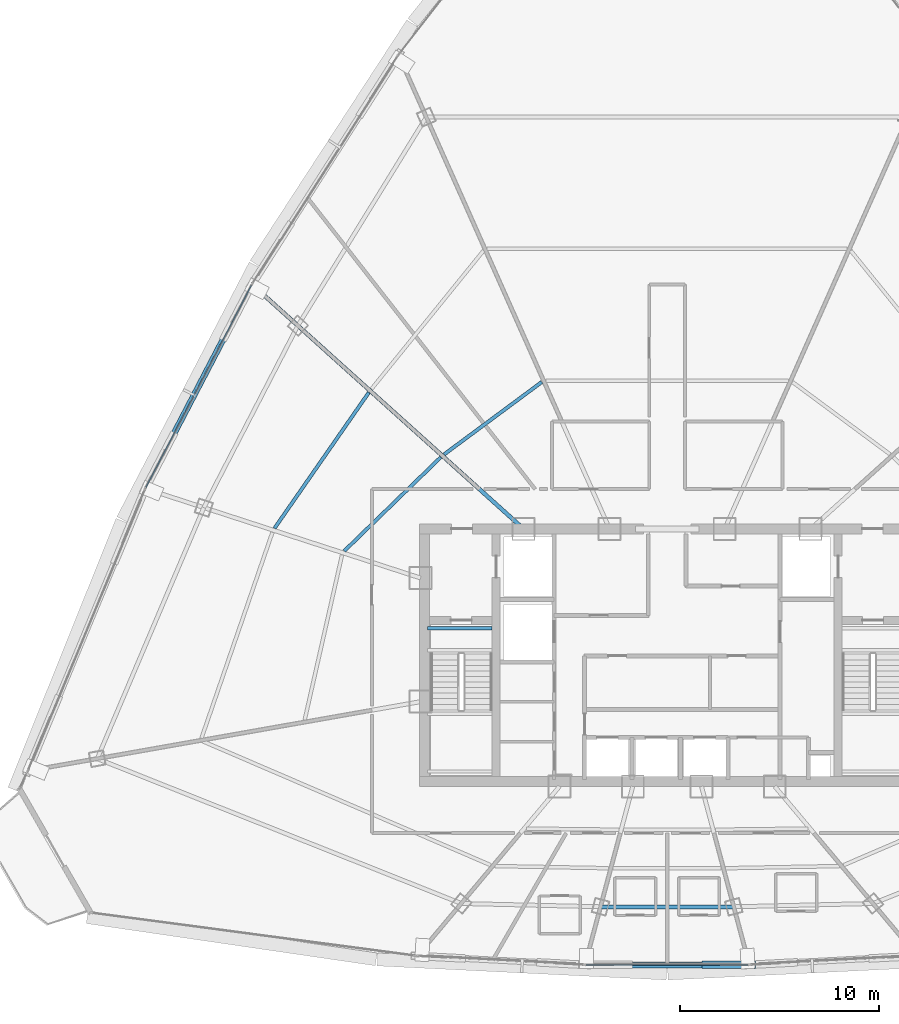
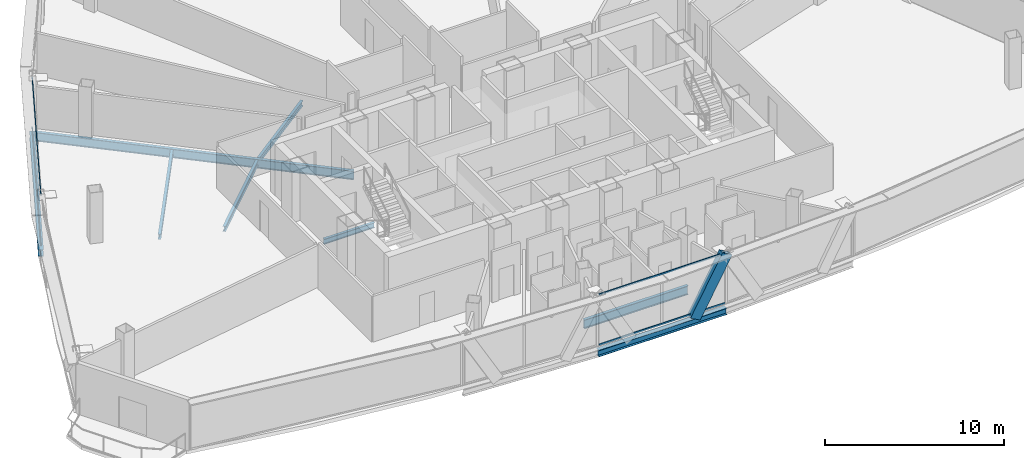
# One storey, part 10 of 39: 8 beams, 5 members, 2 elements without a shape of their own.
"""IFC4 building model written with IfcOpenShell, lengths in metres."""

import ifcopenshell
import ifcopenshell.guid

model = None  # the IFC model being written
_history = None  # IfcOwnerHistory: only IFC2X3 demands one
_inside = {}  # id of a spatial element -> (the spatial element, [elements in it])
_under = {}  # id of a project, library or spatial element -> (it, [spatial elements below it])
_declared = {}  # id of a project -> (the project, [libraries it declares])
_typed = {}  # id of a type object -> (the type object, [elements of that type])
_made_of = {}  # id of a material, layer set ... -> (it, [elements and type objects made of it])


def new_model(schema):
    """Start an empty IFC model of exactly this schema.

    Asked for "IFC4X3", IfcOpenShell would pick the latest addendum, in which some entities
    have other attributes; the version numbers below select the first issue.
    IFC2X3 requires an IfcOwnerHistory on every rooted entity: one is made here for all.
    """
    global model, _history
    if schema == "IFC4X3":
        model = ifcopenshell.file(schema_version=(4, 3, 0, 0))
    else:
        model = ifcopenshell.file(schema=schema)
    _inside.clear()
    _under.clear()
    _declared.clear()
    _typed.clear()
    _made_of.clear()
    _history = None
    if model.schema == "IFC2X3":
        org = make("IfcOrganization", Name="unknown")
        user = make(
            "IfcPersonAndOrganization",
            ThePerson=make("IfcPerson", FamilyName="unknown"),
            TheOrganization=org,
        )
        app = make(
            "IfcApplication",
            ApplicationDeveloper=org,
            Version="unknown",
            ApplicationFullName="unknown",
            ApplicationIdentifier="unknown",
        )
        _history = make(
            "IfcOwnerHistory",
            OwningUser=user,
            OwningApplication=app,
            ChangeAction="ADDED",
            CreationDate=0,
        )
    return model


def make(cls, **values):
    """One entity of the class cls with the attributes given. An attribute that is None is left unset."""
    return model.create_entity(
        cls, **{name: value for name, value in values.items() if value is not None}
    )


def rooted(cls, **values):
    """An entity with a GlobalId (a new one), such as an element, a storey or a relation."""
    return make(cls, GlobalId=ifcopenshell.guid.new(), OwnerHistory=_history, **values)


def si_unit(unit_type, name, prefix=None):
    """IfcSIUnit, for example si_unit("LENGTHUNIT", "METRE", prefix="MILLI")."""
    return make("IfcSIUnit", UnitType=unit_type, Prefix=prefix, Name=name)


def assignment(units):
    """IfcUnitAssignment: the units of a project."""
    return None if units is None else make("IfcUnitAssignment", Units=units)


def point(xyz):
    """IfcCartesianPoint."""
    return None if xyz is None else make("IfcCartesianPoint", Coordinates=xyz)


def direction(xyz):
    """IfcDirection."""
    return None if xyz is None else make("IfcDirection", DirectionRatios=xyz)


def frame(location, z_axis=None, x_axis=None):
    """IfcAxis2Placement3D, a coordinate frame: its origin and axes. An axis left out is left unset."""
    return make(
        "IfcAxis2Placement3D",
        Location=point(location),
        Axis=direction(z_axis),
        RefDirection=direction(x_axis),
    )


def frame_2d(location, x_axis=None):
    """IfcAxis2Placement2D, a coordinate frame in the plane: its origin and x axis."""
    return make(
        "IfcAxis2Placement2D", Location=point(location), RefDirection=direction(x_axis)
    )


def origin():
    """The frame at (0, 0, 0) with its axes left unset."""
    return frame((0.0, 0.0, 0.0))


def origin_2d():
    """The frame at (0, 0) in the plane with its x axis left unset."""
    return frame_2d((0.0, 0.0))


def place(relative_to, where):
    """IfcLocalPlacement: puts the frame where relative to a parent placement (None: the world)."""
    return make(
        "IfcLocalPlacement", PlacementRelTo=relative_to, RelativePlacement=where
    )


def context(
    kind, dimensions, precision=None, world=None, true_north=None, identifier=None
):
    """IfcGeometricRepresentationContext, for example the 3D "Model" context."""
    return make(
        "IfcGeometricRepresentationContext",
        ContextIdentifier=identifier,
        ContextType=kind,
        CoordinateSpaceDimension=dimensions,
        Precision=precision,
        WorldCoordinateSystem=world,
        TrueNorth=true_north,
    )


def subcontext(parent, identifier, kind, view, scale=None):
    """IfcGeometricRepresentationSubContext, for example "Body" below "Model"."""
    return make(
        "IfcGeometricRepresentationSubContext",
        ContextIdentifier=identifier,
        ContextType=kind,
        ParentContext=parent,
        TargetScale=scale,
        TargetView=view,
    )


def project(units=None, contexts=None):
    """IfcProject with its units and contexts."""
    return rooted(
        "IfcProject",
        Name="project",
        RepresentationContexts=contexts,
        UnitsInContext=assignment(units),
    )


def spatial(cls, under=None, at=None, **own):
    """A site, building, storey or space (cls), placed at a placement, below another one or the project."""
    s = rooted(cls, ObjectPlacement=at, **own)
    if under is not None:
        _under.setdefault(under.id(), (under, []))[1].append(s)
    return s


def profile(cls, at=None, kind="AREA", **sizes):
    """A parametric profile (cls). Its sizes go by their IFC names, for example OverallWidth=200.0."""
    return make(cls, ProfileType=kind, Position=at, **sizes)


def hollow_rectangle(**sizes):
    """IfcRectangleHollowProfileDef."""
    return profile("IfcRectangleHollowProfileDef", **sizes)


def i_section(**sizes):
    """IfcIShapeProfileDef."""
    return profile("IfcIShapeProfileDef", **sizes)


def extrude(swept, where, along, depth):
    """IfcExtrudedAreaSolid: the profile swept, set in the frame where, extruded along a direction by depth."""
    return make(
        "IfcExtrudedAreaSolid",
        SweptArea=swept,
        Position=where,
        ExtrudedDirection=direction(along),
        Depth=depth,
    )


def shape(context_of_items, identifier, shape_type, items):
    """IfcShapeRepresentation: the items that make up one representation, for example the "Body"."""
    return make(
        "IfcShapeRepresentation",
        ContextOfItems=context_of_items,
        RepresentationIdentifier=identifier,
        RepresentationType=shape_type,
        Items=items,
    )


def source(mapping_origin, context_of_items, identifier, shape_type, items):
    """IfcRepresentationMap: a shape defined once, which mapped items show again and again."""
    return make(
        "IfcRepresentationMap",
        MappingOrigin=mapping_origin,
        MappedRepresentation=shape(context_of_items, identifier, shape_type, items),
    )


def transform(
    local_origin,
    x_axis=None,
    y_axis=None,
    z_axis=None,
    scale=None,
    scale2=None,
    scale3=None,
    uniform=True,
):
    """IfcCartesianTransformationOperator3D, or its non-uniform kind. x_axis, y_axis, z_axis: its Axis1, 2, 3."""
    if uniform:
        return make(
            "IfcCartesianTransformationOperator3D",
            Axis1=direction(x_axis),
            Axis2=direction(y_axis),
            LocalOrigin=point(local_origin),
            Scale=scale,
            Axis3=direction(z_axis),
        )
    return make(
        "IfcCartesianTransformationOperator3DnonUniform",
        Axis1=direction(x_axis),
        Axis2=direction(y_axis),
        LocalOrigin=point(local_origin),
        Scale=scale,
        Axis3=direction(z_axis),
        Scale2=scale2,
        Scale3=scale3,
    )


def mapped(mapping_source, mapping_target):
    """IfcMappedItem: shows the shape of a source again, moved by a transform."""
    return make(
        "IfcMappedItem", MappingSource=mapping_source, MappingTarget=mapping_target
    )


def material(Name=None, Category=None):
    """IfcMaterial."""
    return make("IfcMaterial", Name=Name, Category=Category)


def layer(
    of_material, thickness, ventilated=None, Name=None, Category=None, Priority=None
):
    """IfcMaterialLayer: one layer of a wall or slab, of a material (None: an air gap)."""
    return make(
        "IfcMaterialLayer",
        Material=of_material,
        LayerThickness=thickness,
        IsVentilated=ventilated,
        Name=Name,
        Category=Category,
        Priority=Priority,
    )


def layer_set(layers, Name=None):
    """IfcMaterialLayerSet."""
    return make("IfcMaterialLayerSet", MaterialLayers=layers, LayerSetName=Name)


def material_profile(
    of_material, cross_section, Name=None, Category=None, Priority=None
):
    """IfcMaterialProfile: a cross section and its material."""
    return make(
        "IfcMaterialProfile",
        Name=Name,
        Material=of_material,
        Profile=cross_section,
        Priority=Priority,
        Category=Category,
    )


def profile_set(profiles, Name=None, composite=None):
    """IfcMaterialProfileSet."""
    return make(
        "IfcMaterialProfileSet",
        Name=Name,
        MaterialProfiles=profiles,
        CompositeProfile=composite,
    )


def made_of(thing, what):
    """Note that an element or type object is made of a material, layer set ...; save() writes the relation."""
    if what is not None:
        _made_of.setdefault(what.id(), (what, []))[1].append(thing)
    return thing


def type_object(cls, material=None, **own):
    """A type object (cls), such as IfcWallType, which elements share."""
    return made_of(rooted(cls, **own), material)


def element(
    cls,
    number,
    at=None,
    inside=None,
    cuts=None,
    type_object=None,
    material=None,
    context=None,
    identifier="Body",
    shape_type=None,
    held_by="IfcProductDefinitionShape",
    body=None,
    shapes=None,
    **own,
):
    """One element of the class cls, such as IfcWall. Its Tag is "e" and its number.

    at: its placement. inside: the storey or other place that contains it. cuts: it is an
    opening in that element (IfcRelVoidsElement). A single representation is given by context,
    identifier, shape_type and body (its items); several are given by shapes. held_by: the class
    of the entity that holds the representations. save() writes the other relations.
    """
    e = rooted(cls, Tag="e%d" % number, ObjectPlacement=at, **own)
    if body is not None:
        shapes = [shape(context, identifier, shape_type, body)]
    if shapes is not None:
        e.Representation = make(held_by, Representations=shapes)
    if inside is not None:
        _inside.setdefault(inside.id(), (inside, []))[1].append(e)
    if cuts is not None:
        rooted(
            "IfcRelVoidsElement", RelatingBuildingElement=cuts, RelatedOpeningElement=e
        )
    if type_object is not None:
        _typed.setdefault(type_object.id(), (type_object, []))[1].append(e)
    return made_of(e, material)


def aggregate(whole, parts):
    """IfcRelAggregates: a whole, such as a stair, and the parts it consists of."""
    return rooted("IfcRelAggregates", RelatingObject=whole, RelatedObjects=parts)


def save(model, path):
    """Write the relations noted so far, then the file.

    IfcRelAggregates (storeys below a building ...), IfcRelContainedInSpatialStructure (elements
    in a storey), IfcRelDefinesByType, IfcRelAssociatesMaterial and IfcRelDeclares: one each for
    every whole, place, type object, material and project.
    """
    for whole, parts in _under.values():
        aggregate(whole, parts)
    for where, things in _inside.values():
        rooted(
            "IfcRelContainedInSpatialStructure",
            RelatedElements=things,
            RelatingStructure=where,
        )
    for kind, things in _typed.values():
        rooted("IfcRelDefinesByType", RelatedObjects=things, RelatingType=kind)
    for what, things in _made_of.values():
        rooted("IfcRelAssociatesMaterial", RelatedObjects=things, RelatingMaterial=what)
    for by, libraries in _declared.values():
        rooted("IfcRelDeclares", RelatingContext=by, RelatedDefinitions=libraries)
    model.write(path)


model = new_model("IFC4")

# Units and contexts
model_context = context("Model", 3, precision=1e-05, world=origin(), true_north=direction((0.0, 1.0)))
body_context = subcontext(model_context, "Body", "Model", "MODEL_VIEW")
ifc_project = project(units=[si_unit("LENGTHUNIT", "METRE"), si_unit("AREAUNIT", "SQUARE_METRE"), si_unit("VOLUMEUNIT", "CUBIC_METRE"), si_unit("PLANEANGLEUNIT", "RADIAN"), si_unit("MASSUNIT", "GRAM", prefix="KILO"), si_unit("THERMODYNAMICTEMPERATUREUNIT", "KELVIN"), si_unit("POWERUNIT", "WATT")], contexts=[model_context])

# Site, building, storey
site_placement = place(None, origin())
site = spatial("IfcSite", under=ifc_project, at=site_placement, CompositionType="ELEMENT")
building_placement = place(site_placement, origin())
building = spatial("IfcBuilding", under=site, at=building_placement, Name="Yunzhuo Pagoda Commons", CompositionType="ELEMENT")
storey_placement = place(building_placement, frame((0.0, 0.0, 285.02001953125)))
storey = spatial("IfcBuildingStorey", under=building, at=storey_placement, Name="L71", CompositionType="ELEMENT", Elevation=285.02001953125)

# Beams
ifc_material_1 = material(Name="Structural steel Q355B", Category="steel")
ifc_material_profile_1 = material_profile(ifc_material_1, i_section(OverallWidth=0.175048828125, OverallDepth=0.35009765625, WebThickness=0.007080078125, FlangeThickness=0.010986328125, at=origin_2d()), Name="Structural steel Q355B")
ifc_profile_set_1 = profile_set([ifc_material_profile_1], Name="Structural steel Q355B")
beam_type_1 = type_object("IfcBeamType", Name="B-JS2 Joist HN 350x175x7x11", PredefinedType="JOIST", material=ifc_profile_set_1)
shared_shape_1 = source(origin(), body_context, "Body", "SweptSolid", [
    extrude(i_section(OverallWidth=0.175048828125, OverallDepth=0.35009765625, WebThickness=0.007080078125, FlangeThickness=0.010986328125, at=origin_2d()), origin(), (0.0, 0.0, 1.0), 3.25),
])
beam_1_placement = place(storey_placement, frame((35.949951171875, 35.199951171875, -0.374755859375), z_axis=(1.0, 0.0, 0.0), x_axis=(0.0, 1.0, 0.0)))
element("IfcBeam", 1, at=beam_1_placement, inside=storey, type_object=beam_type_1, Name="L71 ST1 landing support beam 175B", PredefinedType="JOIST", context=body_context, shape_type="MappedRepresentation", body=[
    mapped(shared_shape_1, transform((0.0, 0.0, 0.0), scale=1.0)),
])
ifc_material_profile_2 = material_profile(ifc_material_1, i_section(OverallWidth=0.300048828125, OverallDepth=0.43994140625, WebThickness=0.010986328125, FlangeThickness=0.01806640625, at=origin_2d()), Name="Structural steel Q355B")
ifc_profile_set_2 = profile_set([ifc_material_profile_2], Name="Structural steel Q355B")
beam_type_2 = type_object("IfcBeamType", Name="B-SP2 Beam HM 440x300x11x18", PredefinedType="BEAM", material=ifc_profile_set_2)
shared_shape_2 = source(origin(), body_context, "Body", "SweptSolid", [
    extrude(i_section(OverallWidth=0.300048828125, OverallDepth=0.43994140625, WebThickness=0.010986328125, FlangeThickness=0.01806640625, at=origin_2d()), origin(), (0.0, 0.0, 1.0), 8.26611328125),
])
beam_2_placement = place(storey_placement, frame((43.866943359375, 18.275390625, -0.47998046875), z_axis=(1.0, 0.0, 0.0), x_axis=(0.0, 1.0, 0.0)))
element("IfcBeam", 2, at=beam_2_placement, inside=storey, type_object=beam_type_2, Name="L71 facade edge spandrel beam F1.2", PredefinedType="BEAM", context=body_context, shape_type="MappedRepresentation", body=[
    mapped(shared_shape_2, transform((0.0, 0.0, 0.0), scale=1.0)),
])
shared_shape_3 = source(origin(), body_context, "Body", "SweptSolid", [
    extrude(i_section(OverallWidth=0.300048828125, OverallDepth=0.43994140625, WebThickness=0.010986328125, FlangeThickness=0.01806640625, at=origin_2d()), origin(), (0.0, 0.0, 1.0), 11.591064453125),
])
beam_3_placement = place(storey_placement, frame((27.117431640625, 52.5029296875, -0.47998046875), z_axis=(-0.462915805382, -0.886402254695, 0.0), x_axis=(0.886402254695, -0.462915805382, 0.0)))
element("IfcBeam", 3, at=beam_3_placement, inside=storey, type_object=beam_type_2, Name="L71 facade edge spandrel beam F3.2", PredefinedType="BEAM", context=body_context, shape_type="MappedRepresentation", body=[
    mapped(shared_shape_3, transform((0.0, 0.0, 0.0), scale=1.0)),
])
ifc_material_profile_3 = material_profile(ifc_material_1, i_section(OverallWidth=0.199951171875, OverallDepth=0.60009765625, WebThickness=0.010986328125, FlangeThickness=0.01708984375, at=origin_2d()), Name="Structural steel Q355B")
ifc_profile_set_3 = profile_set([ifc_material_profile_3], Name="Structural steel Q355B")
beam_type_3 = type_object("IfcBeamType", Name="B-RG3 Beam HN 600x200x11x17", PredefinedType="BEAM", material=ifc_profile_set_3)
shared_shape_4 = source(origin(), body_context, "Body", "SweptSolid", [
    extrude(i_section(OverallWidth=0.199951171875, OverallDepth=0.60009765625, WebThickness=0.010986328125, FlangeThickness=0.01708984375, at=origin_2d()), origin(), (0.0, 0.0, 1.0), 18.2314453125),
])
beam_4_placement = place(storey_placement, frame((27.232421875, 52.399169921875, -0.56005859375), z_axis=(0.743144309, -0.669131179964, 0.0), x_axis=(0.669131179964, 0.743144309, 0.0)))
element("IfcBeam", 4, at=beam_4_placement, inside=storey, type_object=beam_type_3, Name="L71 radial floor girder F3C2", PredefinedType="BEAM", context=body_context, shape_type="MappedRepresentation", body=[
    mapped(shared_shape_4, transform((0.0, 0.0, 0.0), scale=1.0)),
])
shared_shape_5 = source(origin(), body_context, "Body", "SweptSolid", [
    extrude(i_section(OverallWidth=0.199951171875, OverallDepth=0.60009765625, WebThickness=0.010986328125, FlangeThickness=0.01708984375, at=origin_2d()), origin(), (0.0, 0.0, 1.0), 6.701171875),
])
beam_5_placement = place(storey_placement, frame((44.6494140625, 21.195556640625, -0.56005859375), z_axis=(1.0, 0.0, 0.0), x_axis=(0.0, 1.0, 0.0)))
element("IfcBeam", 5, at=beam_5_placement, inside=storey, type_object=beam_type_3, Name="L71 column-ring beam 2", PredefinedType="BEAM", context=body_context, shape_type="MappedRepresentation", body=[
    mapped(shared_shape_5, transform((0.0, 0.0, 0.0), scale=1.0)),
])
shared_shape_6 = source(origin(), body_context, "Body", "SweptSolid", [
    extrude(i_section(OverallWidth=0.175048828125, OverallDepth=0.35009765625, WebThickness=0.007080078125, FlangeThickness=0.010986328125, at=origin_2d()), origin(), (0.0, 0.0, 1.0), 6.767333984375),
])
beam_6_placement = place(storey_placement, frame((36.611083984375, 43.80029296875, -0.43505859375), z_axis=(-0.717207253673, -0.696859925149, 0.0), x_axis=(0.696859925149, -0.717207253673, 0.0)))
element("IfcBeam", 6, at=beam_6_placement, inside=storey, type_object=beam_type_1, Name="L71 composite ring joist 1.10", PredefinedType="JOIST", context=body_context, shape_type="MappedRepresentation", body=[
    mapped(shared_shape_6, transform((0.0, 0.0, 0.0), scale=1.0)),
])
shared_shape_7 = source(origin(), body_context, "Body", "SweptSolid", [
    extrude(i_section(OverallWidth=0.175048828125, OverallDepth=0.35009765625, WebThickness=0.007080078125, FlangeThickness=0.010986328125, at=origin_2d()), origin(), (0.0, 0.0, 1.0), 8.31103515625),
])
beam_7_placement = place(storey_placement, frame((32.994384765625, 47.0576171875, -0.43505859375), z_axis=(-0.570615989364, -0.821217019236, 0.0), x_axis=(0.821217019236, -0.570615989364, 0.0)))
element("IfcBeam", 7, at=beam_7_placement, inside=storey, type_object=beam_type_1, Name="L71 composite ring joist 2.10", PredefinedType="JOIST", context=body_context, shape_type="MappedRepresentation", body=[
    mapped(shared_shape_7, transform((0.0, 0.0, 0.0), scale=1.0)),
])
shared_shape_8 = source(origin(), body_context, "Body", "SweptSolid", [
    extrude(i_section(OverallWidth=0.175048828125, OverallDepth=0.35009765625, WebThickness=0.007080078125, FlangeThickness=0.010986328125, at=origin_2d()), origin(), (0.0, 0.0, 1.0), 6.109619140625),
])
beam_8_placement = place(storey_placement, frame((41.6943359375, 47.5869140625, -0.43505859375), z_axis=(-0.803396474468, -0.595444459888, 0.0), x_axis=(0.595444459888, -0.803396474468, 0.0)))
element("IfcBeam", 8, at=beam_8_placement, inside=storey, type_object=beam_type_1, Name="L71 composite ring joist 1.9", PredefinedType="JOIST", context=body_context, shape_type="MappedRepresentation", body=[
    mapped(shared_shape_8, transform((0.0, 0.0, 0.0), scale=1.0)),
])

# Member
ifc_material_profile_4 = material_profile(ifc_material_1, hollow_rectangle(XDim=0.3798828125, YDim=0.719970703125, WallThickness=0.02001953125, at=origin_2d()), Name="Structural steel Q355B")
ifc_profile_set_4 = profile_set([ifc_material_profile_4], Name="Structural steel Q355B")
member_type_1 = type_object("IfcMemberType", Name="M-DL3 Brace BOX 720x380x20", PredefinedType="BRACE", material=ifc_profile_set_4)
shared_shape_9 = source(origin(), body_context, "Body", "SweptSolid", [
    extrude(hollow_rectangle(XDim=0.3798828125, YDim=0.719970703125, WallThickness=0.02001953125, at=origin_2d()), origin(), (0.0, 0.0, 1.0), 4.26416015625),
])
member_1_placement = place(storey_placement, frame((50.06640625, 18.275390625, -0.260009765625), z_axis=(0.484646090483, 0.0, 0.874710333184), x_axis=(0.0, 1.0, 0.0)))
element("IfcMember", 9, at=member_1_placement, inside=storey, type_object=member_type_1, Name="L71 facade diamond brace F1.2R", PredefinedType="BRACE", context=body_context, shape_type="MappedRepresentation", body=[
    mapped(shared_shape_9, transform((0.0, 0.0, 0.0), scale=1.0)),
])

# Curtain wall, members
ifc_material_2 = material(Name="Anodized aluminium 6063-T6", Category="aluminium")
ifc_layer = layer(ifc_material_2, 0.139892578125)
ifc_layer_set = layer_set([ifc_layer], Name="Anodized aluminium 6063-T6")
curtain_wall_type = type_object("IfcCurtainWallType", Name="CW-HI High-Zone Ribbon Curtain Wall", PredefinedType="NOTDEFINED", material=ifc_layer_set)
curtain_wall_1_placement = place(storey_placement, origin())
curtain_wall_1 = element("IfcCurtainWall", 10, at=curtain_wall_1_placement, inside=storey, type_object=curtain_wall_type, Name="L71 curtain wall CW-L71-F1B3", PredefinedType="NOTDEFINED")
ifc_material_profile_5 = material_profile(ifc_material_2, hollow_rectangle(XDim=0.054931640625, YDim=0.1201171875, WallThickness=0.00341796875, at=origin_2d()), Name="Anodized aluminium 6063-T6")
ifc_profile_set_5 = profile_set([ifc_material_profile_5], Name="Anodized aluminium 6063-T6")
member_type_2 = type_object("IfcMemberType", Name="CW-HI-T Transom RHS 120x55x3.5", PredefinedType="USERDEFINED", material=ifc_profile_set_5)
shared_shape_10 = source(origin(), body_context, "Body", "SweptSolid", [
    extrude(hollow_rectangle(XDim=0.054931640625, YDim=0.1201171875, WallThickness=0.00341796875, at=origin_2d()), origin(), (0.0, 0.0, 1.0), 8.14599609375),
])
member_2_placement = place(storey_placement, frame((43.927001953125, 18.275390625, 0.027587890625), z_axis=(1.0, 0.0, 0.0), x_axis=(0.0, 1.0, 0.0)))
member_2 = element("IfcMember", 11, at=member_2_placement, type_object=member_type_2, Name="CW transom 1.1", ObjectType="TRANSOM", PredefinedType="USERDEFINED", context=body_context, shape_type="MappedRepresentation", body=[
    mapped(shared_shape_10, transform((0.0, 0.0, 0.0), scale=1.0)),
])
member_3_placement = place(storey_placement, frame((43.927001953125, 18.275390625, 3.4423828125), z_axis=(1.0, 0.0, 0.0), x_axis=(0.0, 1.0, 0.0)))
member_3 = element("IfcMember", 12, at=member_3_placement, type_object=member_type_2, Name="CW transom 1.2", ObjectType="TRANSOM", PredefinedType="USERDEFINED", context=body_context, shape_type="MappedRepresentation", body=[
    mapped(shared_shape_10, transform((0.0, 0.0, 0.0), scale=1.0)),
])
aggregate(curtain_wall_1, [member_2, member_3])

curtain_wall_2_placement = place(storey_placement, origin())
curtain_wall_2 = element("IfcCurtainWall", 13, at=curtain_wall_2_placement, inside=storey, type_object=curtain_wall_type, Name="L71 curtain wall CW-L71-F3B3", PredefinedType="NOTDEFINED")
shared_shape_11 = source(origin(), body_context, "Body", "SweptSolid", [
    extrude(hollow_rectangle(XDim=0.054931640625, YDim=0.1201171875, WallThickness=0.00341796875, at=origin_2d()), origin(), (0.0, 0.0, 1.0), 11.470947265625),
])
member_4_placement = place(storey_placement, frame((27.089599609375, 52.44970703125, 0.027587890625), z_axis=(-0.462910741435, -0.886404899278, 0.0), x_axis=(0.886404899278, -0.462910741435, 0.0)))
member_4 = element("IfcMember", 14, at=member_4_placement, type_object=member_type_2, Name="CW transom 1.1", ObjectType="TRANSOM", PredefinedType="USERDEFINED", context=body_context, shape_type="MappedRepresentation", body=[
    mapped(shared_shape_11, transform((0.0, 0.0, 0.0), scale=1.0)),
])
member_5_placement = place(storey_placement, frame((27.089599609375, 52.44970703125, 3.4423828125), z_axis=(-0.462910741435, -0.886404899278, 0.0), x_axis=(0.886404899278, -0.462910741435, 0.0)))
member_5 = element("IfcMember", 15, at=member_5_placement, type_object=member_type_2, Name="CW transom 1.2", ObjectType="TRANSOM", PredefinedType="USERDEFINED", context=body_context, shape_type="MappedRepresentation", body=[
    mapped(shared_shape_11, transform((0.0, 0.0, 0.0), scale=1.0)),
])
aggregate(curtain_wall_2, [member_4, member_5])

save(model, "model.ifc")
